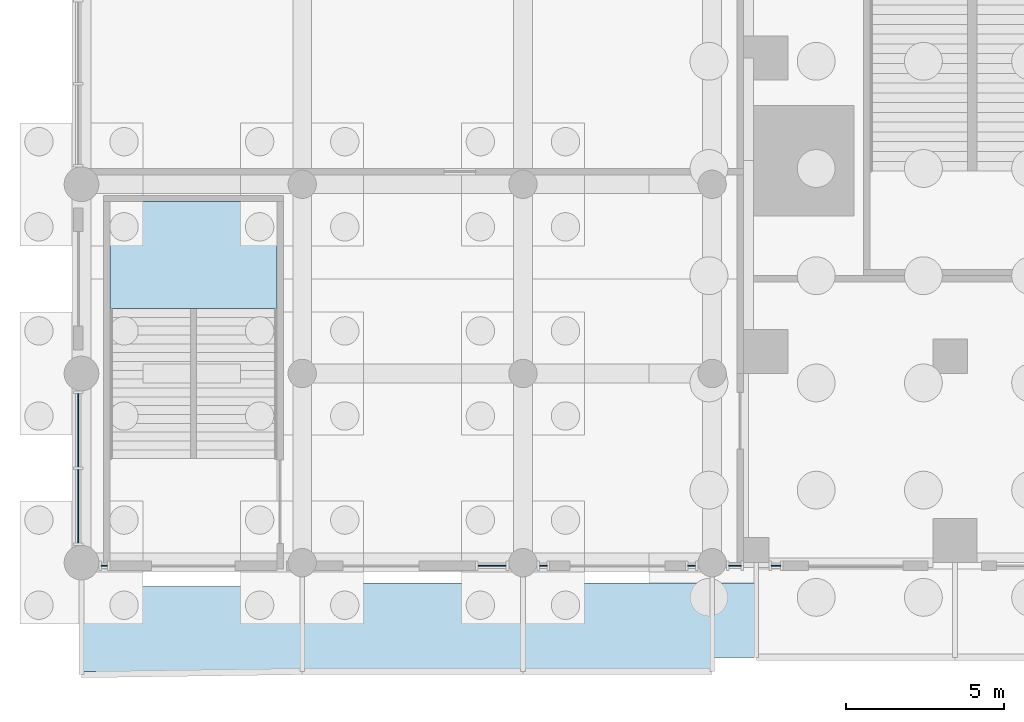
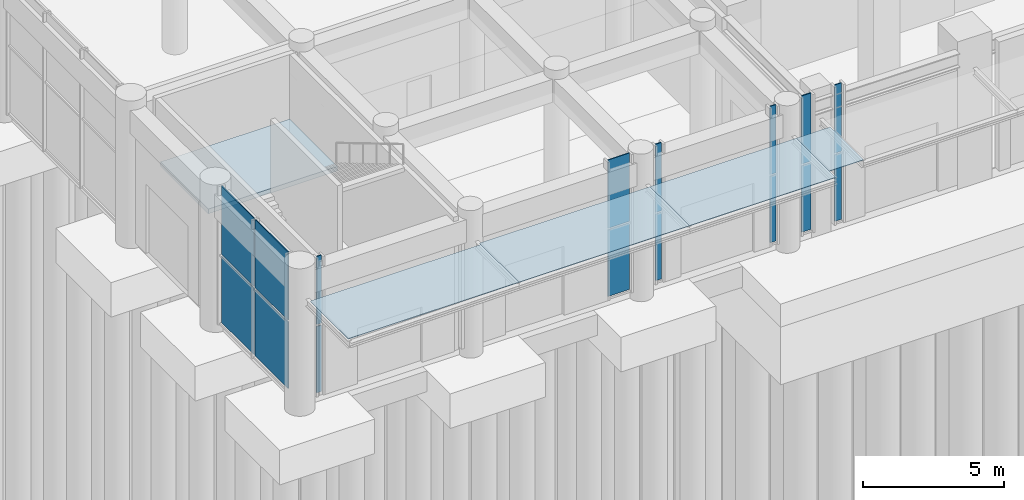
# One storey, part 14 of 46: 20 plates, 1 slab, 8 elements without a shape of their own.
"""IFC4 building model written with IfcOpenShell, lengths in metres."""

from ifc_helpers import new_model, si_unit, direction, frame, origin, origin_2d, place, context, subcontext, project, spatial, polyline, rectangle, outline, extrude, material, layer, layer_set, type_object, element, aggregate, save


model = new_model("IFC4")

# Units and contexts
model_context = context("Model", 3, precision=1e-05, world=origin(), true_north=direction((0.0, 1.0)))
body_context = subcontext(model_context, "Body", "Model", "MODEL_VIEW")
ifc_project = project(units=[si_unit("LENGTHUNIT", "METRE"), si_unit("AREAUNIT", "SQUARE_METRE"), si_unit("VOLUMEUNIT", "CUBIC_METRE"), si_unit("PLANEANGLEUNIT", "RADIAN"), si_unit("MASSUNIT", "GRAM", prefix="KILO")], contexts=[model_context])

# Site, building, storey
site_placement = place(None, origin())
site = spatial("IfcSite", under=ifc_project, at=site_placement, CompositionType="ELEMENT")
building_placement = place(site_placement, origin())
building = spatial("IfcBuilding", under=site, at=building_placement, Name="Svetlomir Tower", CompositionType="ELEMENT")
storey_placement = place(building_placement, origin())
storey = spatial("IfcBuildingStorey", under=building, at=storey_placement, Name="L00", CompositionType="ELEMENT", Elevation=0.0)

# Plates
ifc_material_1 = material(Name="Laminated toughened glass", Category="glass")
ifc_layer_1 = layer(ifc_material_1, 0.02490234375)
ifc_layer_set_1 = layer_set([ifc_layer_1], Name="Laminated toughened glass")
plate_type_1 = type_object("IfcPlateType", Name="CANOPY GLASS 25", PredefinedType="USERDEFINED", material=ifc_layer_set_1)
plate_1_placement = place(storey_placement, frame((-17.5, -2.10009765625, 4.650146484375), z_axis=(0.0, 0.0, 1.0), x_axis=(1.0, 0.0, 0.0)))
element("IfcPlate", 1, at=plate_1_placement, inside=storey, type_object=plate_type_1, Name="Canopy glass -21 to -14", ObjectType="CANOPY GLASS", PredefinedType="USERDEFINED", context=body_context, shape_type="SweptSolid", body=[
    extrude(rectangle(XDim=7.0, YDim=2.699951171875, at=origin_2d()), origin(), (0.0, 0.0, 1.0), 0.02490234375),
])
plate_2_placement = place(storey_placement, frame((-10.5, -2.050048828125, 4.650146484375), z_axis=(0.0, 0.0, 1.0), x_axis=(1.0, 0.0, 0.0)))
element("IfcPlate", 2, at=plate_2_placement, inside=storey, type_object=plate_type_1, Name="Canopy glass -14 to -7", ObjectType="CANOPY GLASS", PredefinedType="USERDEFINED", context=body_context, shape_type="SweptSolid", body=[
    extrude(rectangle(XDim=7.0, YDim=2.800048828125, at=origin_2d()), origin(), (0.0, 0.0, 1.0), 0.02490234375),
])
plate_3_placement = place(storey_placement, frame((-4.0, -2.050048828125, 4.650146484375), z_axis=(0.0, 0.0, 1.0), x_axis=(1.0, 0.0, 0.0)))
element("IfcPlate", 3, at=plate_3_placement, inside=storey, type_object=plate_type_1, Name="Canopy glass -7 to -1", ObjectType="CANOPY GLASS", PredefinedType="USERDEFINED", context=body_context, shape_type="SweptSolid", body=[
    extrude(rectangle(XDim=6.0, YDim=2.800048828125, at=origin_2d()), origin(), (0.0, 0.0, 1.0), 0.02490234375),
])
plate_4_placement = place(storey_placement, frame((-0.300048828125, -1.824951171875, 4.650146484375), z_axis=(0.0, 0.0, 1.0), x_axis=(1.0, 0.0, 0.0)))
element("IfcPlate", 4, at=plate_4_placement, inside=storey, type_object=plate_type_1, Name="Canopy glass -1 to 0.4", ObjectType="CANOPY GLASS", PredefinedType="USERDEFINED", context=body_context, shape_type="SweptSolid", body=[
    extrude(rectangle(XDim=1.39990234375, YDim=2.35009765625, at=origin_2d()), origin(), (0.0, 0.0, 1.0), 0.02490234375),
])

# Curtain wall, plates
ifc_material_2 = material(Name="Bronze anodised aluminium curtain wall", Category="aluminium")
curtain_wall_type = type_object("IfcCurtainWallType", Name="CURTAIN WALL CW5 PODIUM", PredefinedType="NOTDEFINED", material=ifc_material_2)
curtain_wall_1_placement = place(storey_placement, origin())
curtain_wall_1 = element("IfcCurtainWall", 5, at=curtain_wall_1_placement, inside=storey, type_object=curtain_wall_type, Name="Curtain wall CW5 L00", PredefinedType="NOTDEFINED")
ifc_material_3 = material(Name="Tinted double glazed unit", Category="glass")
ifc_layer_2 = layer(ifc_material_3, 0.0400390625)
ifc_layer_set_2 = layer_set([ifc_layer_2], Name="Tinted double glazed unit")
plate_type_2 = type_object("IfcPlateType", Name="CW5 GLAZED PANEL 40", PredefinedType="CURTAIN_PANEL", material=ifc_layer_set_2)
plate_5_placement = place(storey_placement, frame((-20.27490234375, -0.10009765625, 0.080078125), z_axis=(0.0, 0.0, 1.0), x_axis=(1.0, 0.0, 0.0)))
plate_5 = element("IfcPlate", 6, at=plate_5_placement, type_object=plate_type_2, Name="CW5 panel 1.1", PredefinedType="CURTAIN_PANEL", context=body_context, shape_type="SweptSolid", body=[
    extrude(rectangle(XDim=0.18994140625, YDim=0.0400390625, at=origin_2d()), origin(), (0.0, 0.0, 1.0), 2.8798828125),
])
plate_6_placement = place(storey_placement, frame((-20.27490234375, -0.10009765625, 3.0400390625), z_axis=(0.0, 0.0, 1.0), x_axis=(1.0, 0.0, 0.0)))
plate_6 = element("IfcPlate", 7, at=plate_6_placement, type_object=plate_type_2, Name="CW5 panel 1.2", PredefinedType="CURTAIN_PANEL", context=body_context, shape_type="SweptSolid", body=[
    extrude(rectangle(XDim=0.18994140625, YDim=0.0400390625, at=origin_2d()), origin(), (0.0, 0.0, 1.0), 2.9599609375),
])
aggregate(curtain_wall_1, [plate_5, plate_6])

curtain_wall_2_placement = place(storey_placement, origin())
curtain_wall_2 = element("IfcCurtainWall", 8, at=curtain_wall_2_placement, inside=storey, type_object=curtain_wall_type, Name="Curtain wall CW5 L00", PredefinedType="NOTDEFINED")
plate_7_placement = place(storey_placement, frame((-7.97509765625, -0.10009765625, 0.080078125), z_axis=(0.0, 0.0, 1.0), x_axis=(1.0, 0.0, 0.0)))
plate_7 = element("IfcPlate", 9, at=plate_7_placement, type_object=plate_type_2, Name="CW5 panel 1.1", PredefinedType="CURTAIN_PANEL", context=body_context, shape_type="SweptSolid", body=[
    extrude(rectangle(XDim=0.889892578125, YDim=0.0400390625, at=origin_2d()), origin(), (0.0, 0.0, 1.0), 2.8798828125),
])
plate_8_placement = place(storey_placement, frame((-7.97509765625, -0.10009765625, 3.0400390625), z_axis=(0.0, 0.0, 1.0), x_axis=(1.0, 0.0, 0.0)))
plate_8 = element("IfcPlate", 10, at=plate_8_placement, type_object=plate_type_2, Name="CW5 panel 1.2", PredefinedType="CURTAIN_PANEL", context=body_context, shape_type="SweptSolid", body=[
    extrude(rectangle(XDim=0.889892578125, YDim=0.0400390625, at=origin_2d()), origin(), (0.0, 0.0, 1.0), 2.9599609375),
])
aggregate(curtain_wall_2, [plate_7, plate_8])

curtain_wall_3_placement = place(storey_placement, origin())
curtain_wall_3 = element("IfcCurtainWall", 11, at=curtain_wall_3_placement, inside=storey, type_object=curtain_wall_type, Name="Curtain wall CW5 L00", PredefinedType="NOTDEFINED")
plate_9_placement = place(storey_placement, frame((-6.35009765625, -0.10009765625, 0.080078125), z_axis=(0.0, 0.0, 1.0), x_axis=(1.0, 0.0, 0.0)))
plate_9 = element("IfcPlate", 12, at=plate_9_placement, type_object=plate_type_2, Name="CW5 panel 1.1", PredefinedType="CURTAIN_PANEL", context=body_context, shape_type="SweptSolid", body=[
    extrude(rectangle(XDim=0.239990234375, YDim=0.0400390625, at=origin_2d()), origin(), (0.0, 0.0, 1.0), 2.8798828125),
])
plate_10_placement = place(storey_placement, frame((-6.35009765625, -0.10009765625, 3.0400390625), z_axis=(0.0, 0.0, 1.0), x_axis=(1.0, 0.0, 0.0)))
plate_10 = element("IfcPlate", 13, at=plate_10_placement, type_object=plate_type_2, Name="CW5 panel 1.2", PredefinedType="CURTAIN_PANEL", context=body_context, shape_type="SweptSolid", body=[
    extrude(rectangle(XDim=0.239990234375, YDim=0.0400390625, at=origin_2d()), origin(), (0.0, 0.0, 1.0), 2.9599609375),
])
aggregate(curtain_wall_3, [plate_9, plate_10])

curtain_wall_4_placement = place(storey_placement, origin())
curtain_wall_4 = element("IfcCurtainWall", 14, at=curtain_wall_4_placement, inside=storey, type_object=curtain_wall_type, Name="Curtain wall CW5 L00", PredefinedType="NOTDEFINED")
plate_11_placement = place(storey_placement, frame((-1.64990234375, -0.10009765625, 0.080078125), z_axis=(0.0, 0.0, 1.0), x_axis=(1.0, 0.0, 0.0)))
plate_11 = element("IfcPlate", 15, at=plate_11_placement, type_object=plate_type_2, Name="CW5 panel 1.1", PredefinedType="CURTAIN_PANEL", context=body_context, shape_type="SweptSolid", body=[
    extrude(rectangle(XDim=0.239990234375, YDim=0.0400390625, at=origin_2d()), origin(), (0.0, 0.0, 1.0), 2.8798828125),
])
plate_12_placement = place(storey_placement, frame((-1.64990234375, -0.10009765625, 3.0400390625), z_axis=(0.0, 0.0, 1.0), x_axis=(1.0, 0.0, 0.0)))
plate_12 = element("IfcPlate", 16, at=plate_12_placement, type_object=plate_type_2, Name="CW5 panel 1.2", PredefinedType="CURTAIN_PANEL", context=body_context, shape_type="SweptSolid", body=[
    extrude(rectangle(XDim=0.239990234375, YDim=0.0400390625, at=origin_2d()), origin(), (0.0, 0.0, 1.0), 2.9599609375),
])
aggregate(curtain_wall_4, [plate_11, plate_12])

curtain_wall_5_placement = place(storey_placement, origin())
curtain_wall_5 = element("IfcCurtainWall", 17, at=curtain_wall_5_placement, inside=storey, type_object=curtain_wall_type, Name="Curtain wall CW5 L00", PredefinedType="NOTDEFINED")
plate_13_placement = place(storey_placement, frame((-0.27490234375, -0.10009765625, 0.080078125), z_axis=(0.0, 0.0, 1.0), x_axis=(1.0, 0.0, 0.0)))
plate_13 = element("IfcPlate", 18, at=plate_13_placement, type_object=plate_type_2, Name="CW5 panel 1.1", PredefinedType="CURTAIN_PANEL", context=body_context, shape_type="SweptSolid", body=[
    extrude(rectangle(XDim=0.389892578125, YDim=0.0400390625, at=origin_2d()), origin(), (0.0, 0.0, 1.0), 2.8798828125),
])
plate_14_placement = place(storey_placement, frame((-0.27490234375, -0.10009765625, 3.0400390625), z_axis=(0.0, 0.0, 1.0), x_axis=(1.0, 0.0, 0.0)))
plate_14 = element("IfcPlate", 19, at=plate_14_placement, type_object=plate_type_2, Name="CW5 panel 1.2", PredefinedType="CURTAIN_PANEL", context=body_context, shape_type="SweptSolid", body=[
    extrude(rectangle(XDim=0.389892578125, YDim=0.0400390625, at=origin_2d()), origin(), (0.0, 0.0, 1.0), 2.9599609375),
])
aggregate(curtain_wall_5, [plate_13, plate_14])

curtain_wall_6_placement = place(storey_placement, origin())
curtain_wall_6 = element("IfcCurtainWall", 20, at=curtain_wall_6_placement, inside=storey, type_object=curtain_wall_type, Name="Curtain wall CW5 L00", PredefinedType="NOTDEFINED")
plate_15_placement = place(storey_placement, frame((1.02490234375, -0.10009765625, 0.080078125), z_axis=(0.0, 0.0, 1.0), x_axis=(1.0, 0.0, 0.0)))
plate_15 = element("IfcPlate", 21, at=plate_15_placement, type_object=plate_type_2, Name="CW5 panel 1.1", PredefinedType="CURTAIN_PANEL", context=body_context, shape_type="SweptSolid", body=[
    extrude(rectangle(XDim=0.2900390625, YDim=0.0400390625, at=origin_2d()), origin(), (0.0, 0.0, 1.0), 2.8798828125),
])
plate_16_placement = place(storey_placement, frame((1.02490234375, -0.10009765625, 3.0400390625), z_axis=(0.0, 0.0, 1.0), x_axis=(1.0, 0.0, 0.0)))
plate_16 = element("IfcPlate", 22, at=plate_16_placement, type_object=plate_type_2, Name="CW5 panel 1.2", PredefinedType="CURTAIN_PANEL", context=body_context, shape_type="SweptSolid", body=[
    extrude(rectangle(XDim=0.2900390625, YDim=0.0400390625, at=origin_2d()), origin(), (0.0, 0.0, 1.0), 2.9599609375),
])
aggregate(curtain_wall_6, [plate_15, plate_16])

curtain_wall_7_placement = place(storey_placement, origin())
curtain_wall_7 = element("IfcCurtainWall", 23, at=curtain_wall_7_placement, inside=storey, type_object=curtain_wall_type, Name="Curtain wall CW5 L00", PredefinedType="NOTDEFINED")
plate_17_placement = place(storey_placement, frame((-21.10009765625, 4.205078125, 0.080078125), z_axis=(0.0, 0.0, 1.0), x_axis=(0.0, -1.0, 0.0)))
plate_17 = element("IfcPlate", 24, at=plate_17_placement, type_object=plate_type_2, Name="CW5 panel 1.1", PredefinedType="CURTAIN_PANEL", context=body_context, shape_type="SweptSolid", body=[
    extrude(rectangle(XDim=2.330078125, YDim=0.0400390625, at=origin_2d()), origin(), (0.0, 0.0, 1.0), 2.8798828125),
])
plate_18_placement = place(storey_placement, frame((-21.10009765625, 4.205078125, 3.0400390625), z_axis=(0.0, 0.0, 1.0), x_axis=(0.0, -1.0, 0.0)))
plate_18 = element("IfcPlate", 25, at=plate_18_placement, type_object=plate_type_2, Name="CW5 panel 1.2", PredefinedType="CURTAIN_PANEL", context=body_context, shape_type="SweptSolid", body=[
    extrude(rectangle(XDim=2.330078125, YDim=0.0400390625, at=origin_2d()), origin(), (0.0, 0.0, 1.0), 2.9599609375),
])
plate_19_placement = place(storey_placement, frame((-21.10009765625, 1.794921875, 0.080078125), z_axis=(0.0, 0.0, 1.0), x_axis=(0.0, -1.0, 0.0)))
plate_19 = element("IfcPlate", 26, at=plate_19_placement, type_object=plate_type_2, Name="CW5 panel 2.1", PredefinedType="CURTAIN_PANEL", context=body_context, shape_type="SweptSolid", body=[
    extrude(rectangle(XDim=2.330078125, YDim=0.0400390625, at=origin_2d()), origin(), (0.0, 0.0, 1.0), 2.8798828125),
])
plate_20_placement = place(storey_placement, frame((-21.10009765625, 1.794921875, 3.0400390625), z_axis=(0.0, 0.0, 1.0), x_axis=(0.0, -1.0, 0.0)))
plate_20 = element("IfcPlate", 27, at=plate_20_placement, type_object=plate_type_2, Name="CW5 panel 2.2", PredefinedType="CURTAIN_PANEL", context=body_context, shape_type="SweptSolid", body=[
    extrude(rectangle(XDim=2.330078125, YDim=0.0400390625, at=origin_2d()), origin(), (0.0, 0.0, 1.0), 2.9599609375),
])
aggregate(curtain_wall_7, [plate_17, plate_18, plate_19, plate_20])

# Stair, slab
ifc_material_4 = material(Name="Concrete C60/75", Category="concrete")
stair_type = type_object("IfcStairType", Name="EXIT STAIR 5300 RISE 6000", PredefinedType="HALF_TURN_STAIR", material=ifc_material_4)
stair_placement = place(storey_placement, origin())
stair = element("IfcStair", 28, at=stair_placement, inside=storey, type_object=stair_type, Name="Stair P3 L00 to L01", PredefinedType="HALF_TURN_STAIR")
ifc_material_5 = material(Name="Concrete C60/75", Category="concrete")
ifc_layer_3 = layer(ifc_material_5, 0.199951171875)
ifc_layer_set_3 = layer_set([ifc_layer_3], Name="Concrete C60/75")
slab_type = type_object("IfcSlabType", Name="STAIR LANDING 200", PredefinedType="LANDING", material=ifc_layer_set_3)
slab_placement = place(storey_placement, frame((0.0, 0.0, 2.800048828125)))
slab = element("IfcSlab", 29, at=slab_placement, type_object=slab_type, Name="P3 landing 1", PredefinedType="LANDING", context=body_context, shape_type="SweptSolid", body=[
    extrude(outline(polyline([(-20.10009765625, 8.06005859375), (-14.800048828125, 8.06005859375), (-14.800048828125, 11.449951171875), (-20.10009765625, 11.449951171875), (-20.10009765625, 8.06005859375)])), origin(), (0.0, 0.0, 1.0), 0.199951171875),
])
aggregate(stair, [slab])

save(model, "model.ifc")
